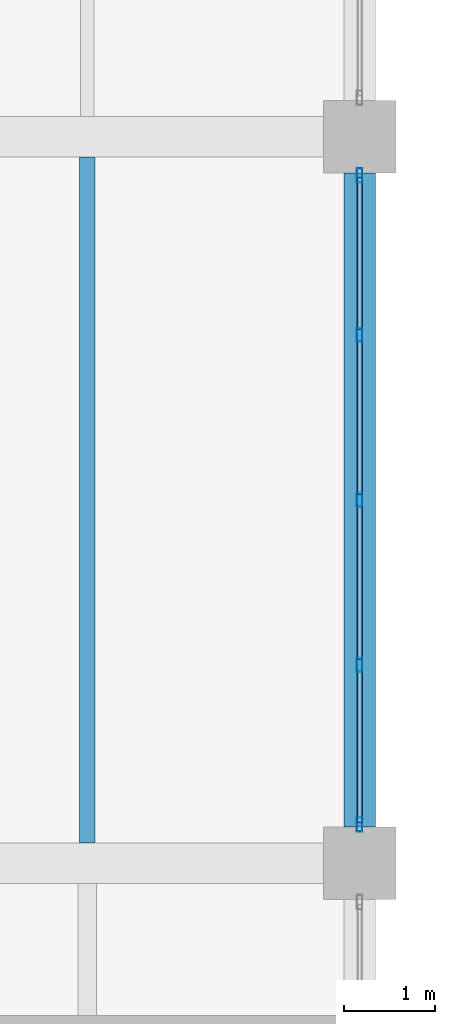
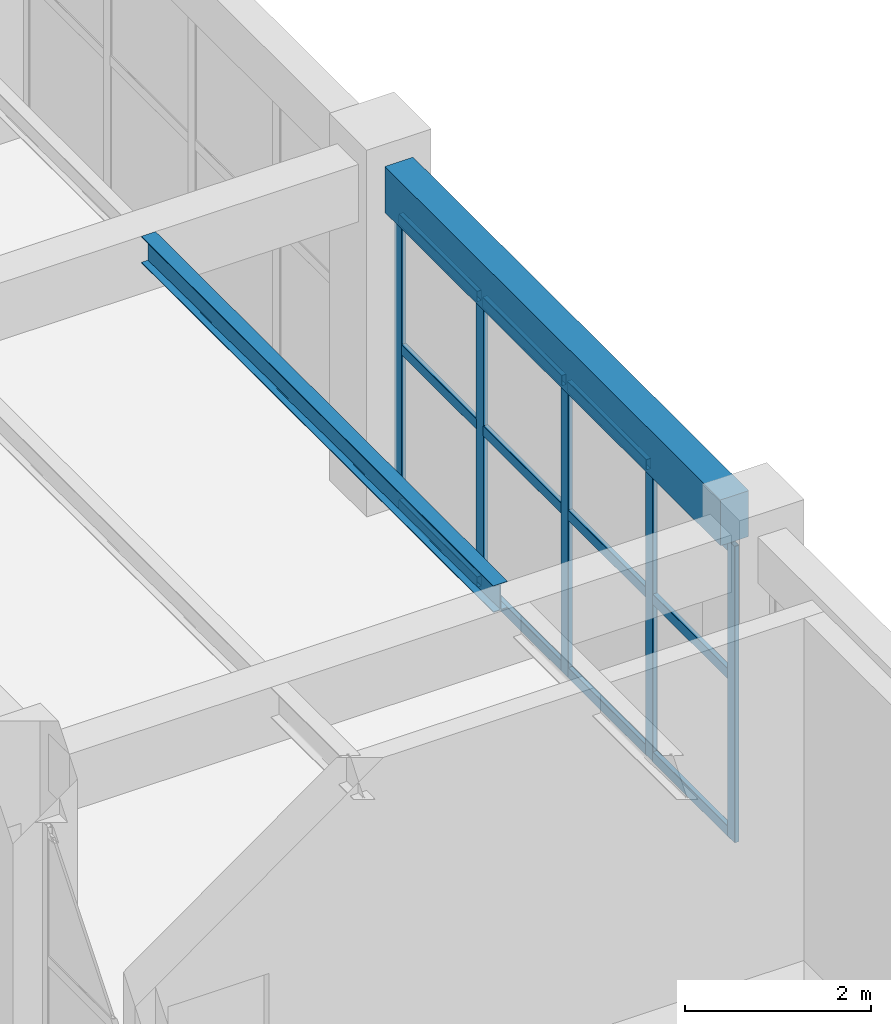
# One storey, part 66 of 178: 17 members, 2 beams, 1 element without a shape of its own.
"""IFC4 building model written with IfcOpenShell, lengths in metres."""

from ifc_helpers import new_model, si_unit, derived_unit, direction, frame, origin, origin_2d, place, context, subcontext, project, spatial, rectangle, hollow_rectangle, i_section, extrude, material, material_profile, profile_set, type_object, element, aggregate, save


model = new_model("IFC4")

# Units and contexts
model_context = context("Model", 3, precision=1e-05, world=origin(), true_north=direction((0.0, 1.0)))
body_context = subcontext(model_context, "Body", "Model", "MODEL_VIEW")
ifc_project = project(units=[si_unit("LENGTHUNIT", "METRE"), si_unit("AREAUNIT", "SQUARE_METRE"), si_unit("VOLUMEUNIT", "CUBIC_METRE"), si_unit("PLANEANGLEUNIT", "RADIAN"), si_unit("MASSUNIT", "GRAM", prefix="KILO"), derived_unit("THERMALTRANSMITTANCEUNIT", [(si_unit("MASSUNIT", "GRAM", prefix="KILO"), 1), (si_unit("TIMEUNIT", "SECOND"), -3), (si_unit("THERMODYNAMICTEMPERATUREUNIT", "KELVIN"), -1)])], contexts=[model_context])

# Site, building, storey
site_placement = place(None, origin())
site = spatial("IfcSite", under=ifc_project, at=site_placement, CompositionType="ELEMENT")
building_placement = place(site_placement, origin())
building = spatial("IfcBuilding", under=site, at=building_placement, Name="Zhenchuan Archway Interchange", CompositionType="ELEMENT")
storey_placement = place(building_placement, frame((0.0, 0.0, 5.39990234375)))
storey = spatial("IfcBuildingStorey", under=building, at=storey_placement, Name="L01", CompositionType="ELEMENT", Elevation=5.39990234375)

# Curtain wall, members
ifc_material_1 = material(Name="Anodised Aluminium", Category="aluminium")
curtain_wall_type = type_object("IfcCurtainWallType", Name="CW_UNIT_1", PredefinedType="NOTDEFINED", material=ifc_material_1)
curtain_wall_placement = place(storey_placement, origin())
curtain_wall = element("IfcCurtainWall", 1, at=curtain_wall_placement, inside=storey, type_object=curtain_wall_type, Name="Unitised curtain wall CW:L01:100", PredefinedType="NOTDEFINED")
ifc_material_profile_1 = material_profile(ifc_material_1, hollow_rectangle(XDim=0.06005859375, YDim=0.159912109375, WallThickness=0.00390625, InnerFilletRadius=0.00390625, OuterFilletRadius=0.008056640625, at=origin_2d()), Name="ALU 160x60x4")
ifc_profile_set_1 = profile_set([ifc_material_profile_1], Name="Anodised Aluminium")
member_type_1 = type_object("IfcMemberType", Name="CW_MUL_150", PredefinedType="MULLION", material=ifc_profile_set_1)
member_1_placement = place(storey_placement, frame((108.0, 55.572021484375, 0.0), z_axis=(0.0, 0.0, 1.0), x_axis=(1.0, 0.0, 0.0)))
member_1 = element("IfcMember", 2, at=member_1_placement, type_object=member_type_1, Name="CW:L01:100 mullion 0", PredefinedType="MULLION", context=body_context, shape_type="SweptSolid", body=[
    extrude(hollow_rectangle(XDim=0.06005859375, YDim=0.159912109375, WallThickness=0.00390625, InnerFilletRadius=0.00390625, OuterFilletRadius=0.008056640625, at=origin_2d()), origin(), (0.0, 0.0, 1.0), 3.880126953125),
])
member_2_placement = place(storey_placement, frame((108.0, 53.81591796875, 0.0), z_axis=(0.0, 0.0, 1.0), x_axis=(1.0, 0.0, 0.0)))
member_2 = element("IfcMember", 3, at=member_2_placement, type_object=member_type_1, Name="CW:L01:100 mullion 1", PredefinedType="MULLION", context=body_context, shape_type="SweptSolid", body=[
    extrude(hollow_rectangle(XDim=0.06005859375, YDim=0.159912109375, WallThickness=0.00390625, InnerFilletRadius=0.00390625, OuterFilletRadius=0.008056640625, at=origin_2d()), origin(), (0.0, 0.0, 1.0), 3.880126953125),
])
member_3_placement = place(storey_placement, frame((108.0, 52.0, 0.0), z_axis=(0.0, 0.0, 1.0), x_axis=(1.0, 0.0, 0.0)))
member_3 = element("IfcMember", 4, at=member_3_placement, type_object=member_type_1, Name="CW:L01:100 mullion 2", PredefinedType="MULLION", context=body_context, shape_type="SweptSolid", body=[
    extrude(hollow_rectangle(XDim=0.06005859375, YDim=0.159912109375, WallThickness=0.00390625, InnerFilletRadius=0.00390625, OuterFilletRadius=0.008056640625, at=origin_2d()), origin(), (0.0, 0.0, 1.0), 3.880126953125),
])
member_4_placement = place(storey_placement, frame((108.0, 50.18408203125, 0.0), z_axis=(0.0, 0.0, 1.0), x_axis=(1.0, 0.0, 0.0)))
member_4 = element("IfcMember", 5, at=member_4_placement, type_object=member_type_1, Name="CW:L01:100 mullion 3", PredefinedType="MULLION", context=body_context, shape_type="SweptSolid", body=[
    extrude(hollow_rectangle(XDim=0.06005859375, YDim=0.159912109375, WallThickness=0.00390625, InnerFilletRadius=0.00390625, OuterFilletRadius=0.008056640625, at=origin_2d()), origin(), (0.0, 0.0, 1.0), 3.880126953125),
])
member_5_placement = place(storey_placement, frame((108.0, 48.427978515625, 0.0), z_axis=(0.0, 0.0, 1.0), x_axis=(1.0, 0.0, 0.0)))
member_5 = element("IfcMember", 6, at=member_5_placement, type_object=member_type_1, Name="CW:L01:100 mullion 4", PredefinedType="MULLION", context=body_context, shape_type="SweptSolid", body=[
    extrude(hollow_rectangle(XDim=0.06005859375, YDim=0.159912109375, WallThickness=0.00390625, InnerFilletRadius=0.00390625, OuterFilletRadius=0.008056640625, at=origin_2d()), origin(), (0.0, 0.0, 1.0), 3.880126953125),
])
ifc_material_profile_2 = material_profile(ifc_material_1, hollow_rectangle(XDim=0.06005859375, YDim=0.139892578125, WallThickness=0.00341796875, InnerFilletRadius=0.00341796875, OuterFilletRadius=0.007080078125, at=origin_2d()), Name="ALU 140x60x3.5")
ifc_profile_set_2 = profile_set([ifc_material_profile_2], Name="Anodised Aluminium")
member_type_2 = type_object("IfcMemberType", Name="CW_TRN_140", PredefinedType="USERDEFINED", material=ifc_profile_set_2)
member_6_placement = place(storey_placement, frame((108.0, 55.552001953125, 0.06005859375), z_axis=(0.0, -1.0, 0.0), x_axis=(1.0, 0.0, 0.0)))
member_6 = element("IfcMember", 7, at=member_6_placement, type_object=member_type_2, Name="CW:L01:100 transom 0-1", ObjectType="TRANSOM", PredefinedType="USERDEFINED", context=body_context, shape_type="SweptSolid", body=[
    extrude(hollow_rectangle(XDim=0.06005859375, YDim=0.139892578125, WallThickness=0.00341796875, InnerFilletRadius=0.00341796875, OuterFilletRadius=0.007080078125, at=origin_2d()), origin(), (0.0, 0.0, 1.0), 1.676025390625),
])
member_7_placement = place(storey_placement, frame((108.0, 55.552001953125, 2.123046875), z_axis=(0.0, -1.0, 0.0), x_axis=(1.0, 0.0, 0.0)))
member_7 = element("IfcMember", 8, at=member_7_placement, type_object=member_type_2, Name="CW:L01:100 transom 0-2", ObjectType="TRANSOM", PredefinedType="USERDEFINED", context=body_context, shape_type="SweptSolid", body=[
    extrude(hollow_rectangle(XDim=0.06005859375, YDim=0.139892578125, WallThickness=0.00341796875, InnerFilletRadius=0.00341796875, OuterFilletRadius=0.007080078125, at=origin_2d()), origin(), (0.0, 0.0, 1.0), 1.676025390625),
])
member_8_placement = place(storey_placement, frame((108.0, 55.552001953125, 3.800048828125), z_axis=(0.0, -1.0, 0.0), x_axis=(1.0, 0.0, 0.0)))
member_8 = element("IfcMember", 9, at=member_8_placement, type_object=member_type_2, Name="CW:L01:100 transom 0-3", ObjectType="TRANSOM", PredefinedType="USERDEFINED", context=body_context, shape_type="SweptSolid", body=[
    extrude(hollow_rectangle(XDim=0.06005859375, YDim=0.139892578125, WallThickness=0.00341796875, InnerFilletRadius=0.00341796875, OuterFilletRadius=0.007080078125, at=origin_2d()), origin(), (0.0, 0.0, 1.0), 1.676025390625),
])
member_9_placement = place(storey_placement, frame((108.0, 53.756103515625, 0.06005859375), z_axis=(0.0, -1.0, 0.0), x_axis=(1.0, 0.0, 0.0)))
member_9 = element("IfcMember", 10, at=member_9_placement, type_object=member_type_2, Name="CW:L01:100 transom 1-1", ObjectType="TRANSOM", PredefinedType="USERDEFINED", context=body_context, shape_type="SweptSolid", body=[
    extrude(hollow_rectangle(XDim=0.06005859375, YDim=0.139892578125, WallThickness=0.00341796875, InnerFilletRadius=0.00341796875, OuterFilletRadius=0.007080078125, at=origin_2d()), origin(), (0.0, 0.0, 1.0), 1.696044921875),
])
member_10_placement = place(storey_placement, frame((108.0, 53.756103515625, 2.123046875), z_axis=(0.0, -1.0, 0.0), x_axis=(1.0, 0.0, 0.0)))
member_10 = element("IfcMember", 11, at=member_10_placement, type_object=member_type_2, Name="CW:L01:100 transom 1-2", ObjectType="TRANSOM", PredefinedType="USERDEFINED", context=body_context, shape_type="SweptSolid", body=[
    extrude(hollow_rectangle(XDim=0.06005859375, YDim=0.139892578125, WallThickness=0.00341796875, InnerFilletRadius=0.00341796875, OuterFilletRadius=0.007080078125, at=origin_2d()), origin(), (0.0, 0.0, 1.0), 1.696044921875),
])
member_11_placement = place(storey_placement, frame((108.0, 53.756103515625, 3.800048828125), z_axis=(0.0, -1.0, 0.0), x_axis=(1.0, 0.0, 0.0)))
member_11 = element("IfcMember", 12, at=member_11_placement, type_object=member_type_2, Name="CW:L01:100 transom 1-3", ObjectType="TRANSOM", PredefinedType="USERDEFINED", context=body_context, shape_type="SweptSolid", body=[
    extrude(hollow_rectangle(XDim=0.06005859375, YDim=0.139892578125, WallThickness=0.00341796875, InnerFilletRadius=0.00341796875, OuterFilletRadius=0.007080078125, at=origin_2d()), origin(), (0.0, 0.0, 1.0), 1.696044921875),
])
member_12_placement = place(storey_placement, frame((108.0, 51.93994140625, 0.06005859375), z_axis=(0.0, -1.0, 0.0), x_axis=(1.0, 0.0, 0.0)))
member_12 = element("IfcMember", 13, at=member_12_placement, type_object=member_type_2, Name="CW:L01:100 transom 2-1", ObjectType="TRANSOM", PredefinedType="USERDEFINED", context=body_context, shape_type="SweptSolid", body=[
    extrude(hollow_rectangle(XDim=0.06005859375, YDim=0.139892578125, WallThickness=0.00341796875, InnerFilletRadius=0.00341796875, OuterFilletRadius=0.007080078125, at=origin_2d()), origin(), (0.0, 0.0, 1.0), 1.696044921875),
])
member_13_placement = place(storey_placement, frame((108.0, 51.93994140625, 2.123046875), z_axis=(0.0, -1.0, 0.0), x_axis=(1.0, 0.0, 0.0)))
member_13 = element("IfcMember", 14, at=member_13_placement, type_object=member_type_2, Name="CW:L01:100 transom 2-2", ObjectType="TRANSOM", PredefinedType="USERDEFINED", context=body_context, shape_type="SweptSolid", body=[
    extrude(hollow_rectangle(XDim=0.06005859375, YDim=0.139892578125, WallThickness=0.00341796875, InnerFilletRadius=0.00341796875, OuterFilletRadius=0.007080078125, at=origin_2d()), origin(), (0.0, 0.0, 1.0), 1.696044921875),
])
member_14_placement = place(storey_placement, frame((108.0, 51.93994140625, 3.800048828125), z_axis=(0.0, -1.0, 0.0), x_axis=(1.0, 0.0, 0.0)))
member_14 = element("IfcMember", 15, at=member_14_placement, type_object=member_type_2, Name="CW:L01:100 transom 2-3", ObjectType="TRANSOM", PredefinedType="USERDEFINED", context=body_context, shape_type="SweptSolid", body=[
    extrude(hollow_rectangle(XDim=0.06005859375, YDim=0.139892578125, WallThickness=0.00341796875, InnerFilletRadius=0.00341796875, OuterFilletRadius=0.007080078125, at=origin_2d()), origin(), (0.0, 0.0, 1.0), 1.696044921875),
])
member_15_placement = place(storey_placement, frame((108.0, 50.1240234375, 0.06005859375), z_axis=(0.0, -1.0, 0.0), x_axis=(1.0, 0.0, 0.0)))
member_15 = element("IfcMember", 16, at=member_15_placement, type_object=member_type_2, Name="CW:L01:100 transom 3-1", ObjectType="TRANSOM", PredefinedType="USERDEFINED", context=body_context, shape_type="SweptSolid", body=[
    extrude(hollow_rectangle(XDim=0.06005859375, YDim=0.139892578125, WallThickness=0.00341796875, InnerFilletRadius=0.00341796875, OuterFilletRadius=0.007080078125, at=origin_2d()), origin(), (0.0, 0.0, 1.0), 1.676025390625),
])
member_16_placement = place(storey_placement, frame((108.0, 50.1240234375, 2.123046875), z_axis=(0.0, -1.0, 0.0), x_axis=(1.0, 0.0, 0.0)))
member_16 = element("IfcMember", 17, at=member_16_placement, type_object=member_type_2, Name="CW:L01:100 transom 3-2", ObjectType="TRANSOM", PredefinedType="USERDEFINED", context=body_context, shape_type="SweptSolid", body=[
    extrude(hollow_rectangle(XDim=0.06005859375, YDim=0.139892578125, WallThickness=0.00341796875, InnerFilletRadius=0.00341796875, OuterFilletRadius=0.007080078125, at=origin_2d()), origin(), (0.0, 0.0, 1.0), 1.676025390625),
])
member_17_placement = place(storey_placement, frame((108.0, 50.1240234375, 3.800048828125), z_axis=(0.0, -1.0, 0.0), x_axis=(1.0, 0.0, 0.0)))
member_17 = element("IfcMember", 18, at=member_17_placement, type_object=member_type_2, Name="CW:L01:100 transom 3-3", ObjectType="TRANSOM", PredefinedType="USERDEFINED", context=body_context, shape_type="SweptSolid", body=[
    extrude(hollow_rectangle(XDim=0.06005859375, YDim=0.139892578125, WallThickness=0.00341796875, InnerFilletRadius=0.00341796875, OuterFilletRadius=0.007080078125, at=origin_2d()), origin(), (0.0, 0.0, 1.0), 1.676025390625),
])
aggregate(curtain_wall, [member_1, member_2, member_3, member_4, member_5, member_6, member_7, member_8, member_9, member_10, member_11, member_12, member_13, member_14, member_15, member_16, member_17])

# Beams
ifc_material_2 = material(Name="Steel Q355", Category="steel")
ifc_material_profile_3 = material_profile(ifc_material_2, i_section(OverallWidth=0.175048828125, OverallDepth=0.35009765625, WebThickness=0.007080078125, FlangeThickness=0.010986328125, FilletRadius=0.013916015625, at=origin_2d()), Name="HN 350x175")
ifc_profile_set_3 = profile_set([ifc_material_profile_3], Name="Steel Q355")
beam_type_1 = type_object("IfcBeamType", Name="JST_STL_HN350", PredefinedType="JOIST", material=ifc_profile_set_3)
beam_1_placement = place(storey_placement, frame((105.0, 48.22509765625, 4.335205078125), z_axis=(0.0, 1.0, 0.0), x_axis=(-1.0, 0.0, 0.0)))
element("IfcBeam", 19, at=beam_1_placement, inside=storey, type_object=beam_type_1, Name="Secondary joist 12-13/G-H #2 (L01)", PredefinedType="JOIST", context=body_context, shape_type="SweptSolid", body=[
    extrude(i_section(OverallWidth=0.175048828125, OverallDepth=0.35009765625, WebThickness=0.007080078125, FlangeThickness=0.010986328125, FilletRadius=0.013916015625, at=origin_2d()), origin(), (0.0, 0.0, 1.0), 7.5498046875),
])
ifc_material_3 = material(Name="Concrete C40", Category="concrete")
ifc_material_profile_4 = material_profile(ifc_material_3, rectangle(XDim=0.35009765625, YDim=0.60009765625, at=origin_2d()), Name="RC 350x600")
ifc_profile_set_4 = profile_set([ifc_material_profile_4], Name="Concrete C40")
beam_type_2 = type_object("IfcBeamType", Name="SP_RC_350x600", PredefinedType="SPANDREL", material=ifc_profile_set_4)
beam_2_placement = place(storey_placement, frame((108.0, 48.39990234375, 4.210205078125), z_axis=(0.0, 1.0, 0.0), x_axis=(-1.0, 0.0, 0.0)))
element("IfcBeam", 20, at=beam_2_placement, inside=storey, type_object=beam_type_2, Name="Beam 13:G-H (L01)", PredefinedType="SPANDREL", context=body_context, shape_type="SweptSolid", body=[
    extrude(rectangle(XDim=0.35009765625, YDim=0.60009765625, at=origin_2d()), origin(), (0.0, 0.0, 1.0), 7.2001953125),
])

save(model, "model.ifc")
